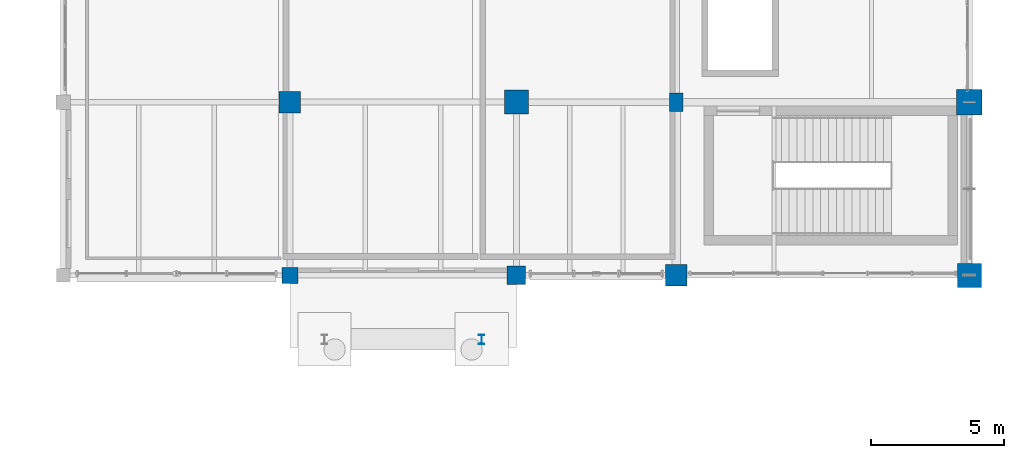
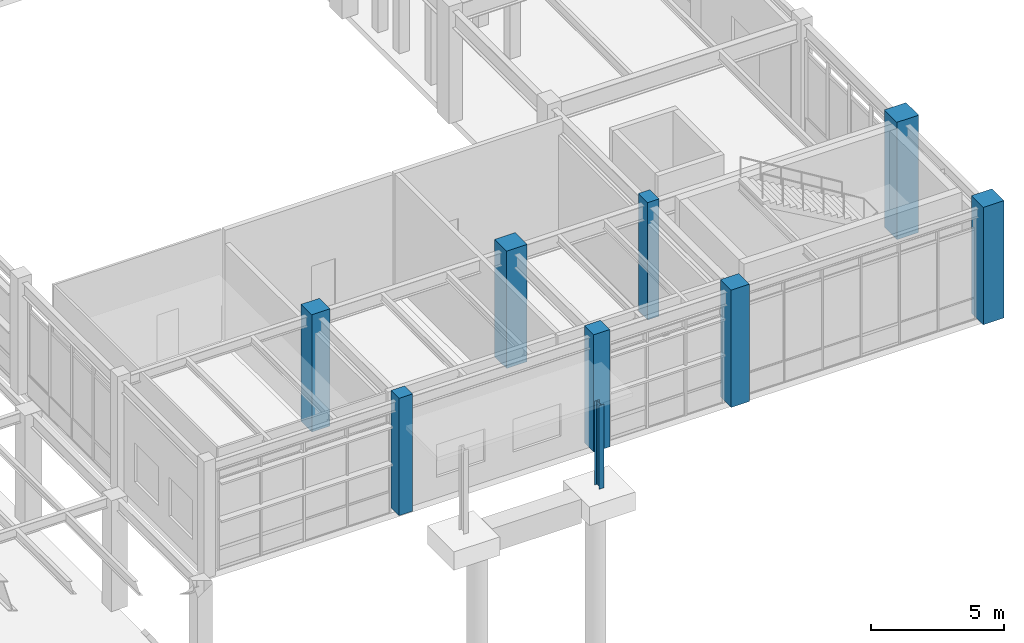
# One storey, part 18 of 203: 9 columns.
"""IFC4 building model written with IfcOpenShell, lengths in metres."""

from ifc_helpers import new_model, si_unit, direction, frame, origin, origin_2d, place, context, subcontext, project, spatial, rectangle, i_section, extrude, material, material_profile, profile_set, type_object, element, save


model = new_model("IFC4")

# Units and contexts
model_context = context("Model", 3, precision=1e-05, world=origin(), true_north=direction((0.0, 1.0)))
body_context = subcontext(model_context, "Body", "Model", "MODEL_VIEW")
ifc_project = project(units=[si_unit("LENGTHUNIT", "METRE"), si_unit("AREAUNIT", "SQUARE_METRE"), si_unit("VOLUMEUNIT", "CUBIC_METRE"), si_unit("PLANEANGLEUNIT", "RADIAN"), si_unit("MASSUNIT", "GRAM", prefix="KILO"), si_unit("THERMODYNAMICTEMPERATUREUNIT", "KELVIN"), si_unit("POWERUNIT", "WATT")], contexts=[model_context])

# Site, building, storey
site_placement = place(None, origin())
site = spatial("IfcSite", under=ifc_project, at=site_placement, CompositionType="ELEMENT")
building_placement = place(site_placement, origin())
building = spatial("IfcBuilding", under=site, at=building_placement, Name="Tepalcoro Natatorium and Aquatics Centre", CompositionType="ELEMENT")
storey_placement = place(building_placement, origin())
storey = spatial("IfcBuildingStorey", under=building, at=storey_placement, Name="L00", CompositionType="ELEMENT", Elevation=0.0)

# Columns
ifc_material_1 = material(Name="Steel ASTM A992 Grade 50 (Fy 345 MPa)", Category="steel")
ifc_material_profile_1 = material_profile(ifc_material_1, i_section(OverallWidth=0.205078125, OverallDepth=0.35302734375, WebThickness=0.009033203125, FlangeThickness=0.01708984375, FilletRadius=0.013916015625, at=origin_2d()), Name="W14X53")
ifc_profile_set_1 = profile_set([ifc_material_profile_1], Name="Steel ASTM A992 Grade 50 (Fy 345 MPa)")
column_type_1 = type_object("IfcColumnType", Name="COL_CHS324x16", PredefinedType="COLUMN", material=ifc_profile_set_1)
column_1_placement = place(storey_placement, frame((157.699951171875, 4.10009765625, 0.0), z_axis=(0.0, 0.0, 1.0), x_axis=(1.0, 0.0, 0.0)))
element("IfcColumn", 1, at=column_1_placement, inside=storey, type_object=column_type_1, Name="Canopy Support Post CN_V2_S1-2", PredefinedType="COLUMN", context=body_context, shape_type="SweptSolid", body=[
    extrude(i_section(OverallWidth=0.205078125, OverallDepth=0.35302734375, WebThickness=0.009033203125, FlangeThickness=0.01708984375, FilletRadius=0.013916015625, at=origin_2d()), origin(), (0.0, 0.0, 1.0), 3.85009765625),
])
ifc_material_2 = material(Name="Concrete C40/50 (fc 40 MPa)", Category="concrete")
ifc_material_profile_2 = material_profile(ifc_material_2, rectangle(XDim=0.5, YDim=0.699951171875, at=origin_2d()), Name="RC500x700")
ifc_profile_set_2 = profile_set([ifc_material_profile_2], Name="Concrete C40/50 (fc 40 MPa)")
column_type_2 = type_object("IfcColumnType", Name="COL_RC_500x700", PredefinedType="COLUMN", material=ifc_profile_set_2)
column_2_placement = place(storey_placement, frame((165.0, 13.0, 0.0), z_axis=(0.0, 0.0, 1.0), x_axis=(1.0, 0.0, 0.0)))
element("IfcColumn", 2, at=column_2_placement, inside=storey, type_object=column_type_2, Name="V2 L00 Grid Column (165.0, 13.0)", PredefinedType="COLUMN", context=body_context, shape_type="SweptSolid", body=[
    extrude(rectangle(XDim=0.5, YDim=0.699951171875, at=origin_2d()), origin(), (0.0, 0.0, 1.0), 5.39990234375),
])
ifc_material_profile_3 = material_profile(ifc_material_2, rectangle(XDim=0.60009765625, YDim=0.60009765625, at=origin_2d()), Name="RC600x600")
ifc_profile_set_3 = profile_set([ifc_material_profile_3], Name="Concrete C40/50 (fc 40 MPa)")
column_type_3 = type_object("IfcColumnType", Name="COL_RC_600x600", PredefinedType="COLUMN", material=ifc_profile_set_3)
column_3_placement = place(storey_placement, frame((150.5, 6.5, 0.0), z_axis=(0.0, 0.0, 1.0), x_axis=(1.0, 0.0, 0.0)))
element("IfcColumn", 3, at=column_3_placement, inside=storey, type_object=column_type_3, Name="V2 L00 Grid Column (150.5, 6.5)", PredefinedType="COLUMN", context=body_context, shape_type="SweptSolid", body=[
    extrude(rectangle(XDim=0.60009765625, YDim=0.60009765625, at=origin_2d()), origin(), (0.0, 0.0, 1.0), 5.39990234375),
])
ifc_material_profile_4 = material_profile(ifc_material_2, rectangle(XDim=0.699951171875, YDim=0.699951171875, at=origin_2d()), Name="RC700x700")
ifc_profile_set_4 = profile_set([ifc_material_profile_4], Name="Concrete C40/50 (fc 40 MPa)")
column_type_4 = type_object("IfcColumnType", Name="COL_RC_700x700", PredefinedType="COLUMN", material=ifc_profile_set_4)
column_4_placement = place(storey_placement, frame((159.0, 6.5, 0.0), z_axis=(0.0, 0.0, 1.0), x_axis=(1.0, 0.0, 0.0)))
element("IfcColumn", 4, at=column_4_placement, inside=storey, type_object=column_type_4, Name="V2 L00 Grid Column (159.0, 6.5)", PredefinedType="COLUMN", context=body_context, shape_type="SweptSolid", body=[
    extrude(rectangle(XDim=0.699951171875, YDim=0.699951171875, at=origin_2d()), origin(), (0.0, 0.0, 1.0), 5.39990234375),
])
ifc_material_profile_5 = material_profile(ifc_material_2, rectangle(XDim=0.800048828125, YDim=0.800048828125, at=origin_2d()), Name="RC800x800")
ifc_profile_set_5 = profile_set([ifc_material_profile_5], Name="Concrete C40/50 (fc 40 MPa)")
column_type_5 = type_object("IfcColumnType", Name="COL_RC_800x800", PredefinedType="COLUMN", material=ifc_profile_set_5)
for number, where, z_axis, x_axis, name in (
    (5, (150.5, 13.0, 0.0), (0.0, 0.0, 1.0), (1.0, 0.0, 0.0), "V2 L00 Grid Column (150.5, 13.0)"),
    (6, (165.0, 6.5, 0.0), (0.0, 0.0, 1.0), (1.0, 0.0, 0.0), "V2 L00 Grid Column (165.0, 6.5)"),
):
    element("IfcColumn", number, at=place(storey_placement, frame(where, z_axis=z_axis, x_axis=x_axis)), inside=storey, type_object=column_type_5, Name=name, PredefinedType="COLUMN", context=body_context, shape_type="SweptSolid", body=[
        extrude(rectangle(XDim=0.800048828125, YDim=0.800048828125, at=origin_2d()), origin(), (0.0, 0.0, 1.0), 5.39990234375),
    ])
ifc_material_profile_6 = material_profile(ifc_material_2, rectangle(XDim=0.89990234375, YDim=0.89990234375, at=origin_2d()), Name="RC900x900")
ifc_profile_set_6 = profile_set([ifc_material_profile_6], Name="Concrete C40/50 (fc 40 MPa)")
column_type_6 = type_object("IfcColumnType", Name="COL_RC_900x900", PredefinedType="COLUMN", material=ifc_profile_set_6)
for number, where, z_axis, x_axis, name in (
    (7, (159.0, 13.0, 0.0), (0.0, 0.0, 1.0), (1.0, 0.0, 0.0), "V2 L00 Grid Column (159.0, 13.0)"),
    (8, (176.0, 6.5, 0.0), (0.0, 0.0, 1.0), (1.0, 0.0, 0.0), "V2 L00 Grid Column (176.0, 6.5)"),
):
    element("IfcColumn", number, at=place(storey_placement, frame(where, z_axis=z_axis, x_axis=x_axis)), inside=storey, type_object=column_type_6, Name=name, PredefinedType="COLUMN", context=body_context, shape_type="SweptSolid", body=[
        extrude(rectangle(XDim=0.89990234375, YDim=0.89990234375, at=origin_2d()), origin(), (0.0, 0.0, 1.0), 5.39990234375),
    ])
ifc_material_profile_7 = material_profile(ifc_material_2, rectangle(XDim=0.949951171875, YDim=0.949951171875, at=origin_2d()), Name="RC950x950")
ifc_profile_set_7 = profile_set([ifc_material_profile_7], Name="Concrete C40/50 (fc 40 MPa)")
column_type_7 = type_object("IfcColumnType", Name="COL_RC_950x950", PredefinedType="COLUMN", material=ifc_profile_set_7)
column_5_placement = place(storey_placement, frame((176.0, 13.0, 0.0), z_axis=(0.0, 0.0, 1.0), x_axis=(1.0, 0.0, 0.0)))
element("IfcColumn", 9, at=column_5_placement, inside=storey, type_object=column_type_7, Name="V2 L00 Grid Column (176.0, 13.0)", PredefinedType="COLUMN", context=body_context, shape_type="SweptSolid", body=[
    extrude(rectangle(XDim=0.949951171875, YDim=0.949951171875, at=origin_2d()), origin(), (0.0, 0.0, 1.0), 5.39990234375),
])

save(model, "model.ifc")
